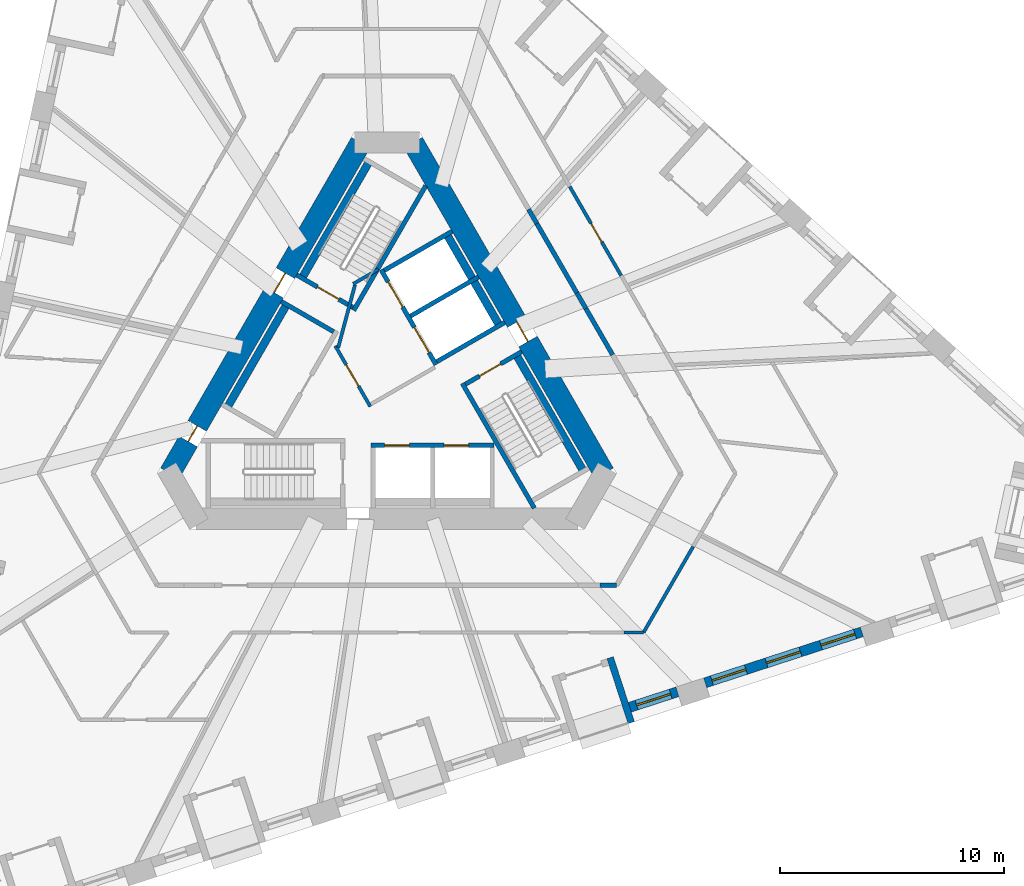
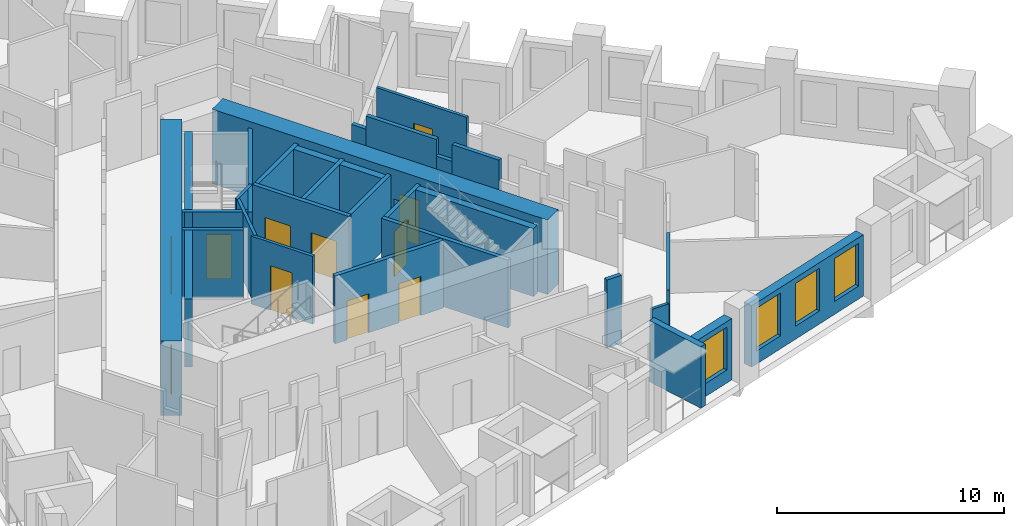
# One storey, part 5 of 12: 30 walls, 11 doors, 4 windows, 15 openings.
"""IFC4 building model written with IfcOpenShell, lengths in metres."""

from ifc_helpers import new_model, si_unit, direction, frame, frame_2d, origin, place, context, subcontext, project, spatial, rectangle, extrude, material, layer, layer_set, type_object, element, fill, save


model = new_model("IFC4")

# Units and contexts
model_context = context("Model", 3, precision=1e-05, world=origin(), true_north=direction((0.0, 1.0)))
body_context = subcontext(model_context, "Body", "Model", "MODEL_VIEW")
ifc_project = project(units=[si_unit("LENGTHUNIT", "METRE"), si_unit("AREAUNIT", "SQUARE_METRE"), si_unit("VOLUMEUNIT", "CUBIC_METRE"), si_unit("PLANEANGLEUNIT", "RADIAN"), si_unit("MASSUNIT", "GRAM", prefix="KILO")], contexts=[model_context])

# Site, building, storey
site_placement = place(None, origin())
site = spatial("IfcSite", under=ifc_project, at=site_placement, CompositionType="ELEMENT")
building_placement = place(site_placement, origin())
building = spatial("IfcBuilding", under=site, at=building_placement, Name="Tramontana Tower", CompositionType="ELEMENT")
storey_placement = place(building_placement, frame((0.0, 0.0, 88.39990234375)))
storey = spatial("IfcBuildingStorey", under=building, at=storey_placement, Name="L19", CompositionType="ELEMENT", Elevation=88.39990234375)

# Wall, openings, doors
ifc_material_1 = material(Name="Concrete 70 MPa", Category="concrete")
ifc_layer_1 = layer(ifc_material_1, 0.949951171875)
ifc_layer_set_1 = layer_set([ifc_layer_1], Name="Core wall 950 70 MPa")
wall_type_1 = type_object("IfcWallType", Name="Core wall 950 70 MPa", PredefinedType="SHEAR", material=ifc_layer_set_1)
wall_1_placement = place(storey_placement, frame((-1.169189453125, 10.52490234375, 0.0), z_axis=(0.0, 0.0, 1.0), x_axis=(-0.499999102847, -0.866025921755, 0.0)))
wall_1 = element("IfcWall", 1, at=wall_1_placement, inside=storey, type_object=wall_type_1, Name="Core wall C1 L19", PredefinedType="SHEAR", context=body_context, shape_type="SweptSolid", body=[
    extrude(rectangle(XDim=17.060546875, YDim=0.949951171875, at=frame_2d((8.5302734375, 0.0))), origin(), (0.0, 0.0, 1.0), 4.0),
])
opening_1_placement = place(wall_1_placement, frame((6.7353515625, 0.0, 0.0)))
opening_1 = element("IfcOpeningElement", 2, at=opening_1_placement, cuts=wall_1, Name="Opening RG1", PredefinedType="OPENING", context=body_context, shape_type="SweptSolid", body=[
    extrude(rectangle(XDim=1.0, YDim=2.39990234375, at=frame_2d((0.5, 1.199951171875))), frame((0.0, 0.48486328125, 0.0), z_axis=(0.0, -1.0, 0.0), x_axis=(1.0, 0.0, 0.0)), (0.0, 0.0, 1.0), 0.969970703125),
])
opening_2_placement = place(wall_1_placement, frame((14.612548828125, 0.0, 0.0)))
opening_2 = element("IfcOpeningElement", 3, at=opening_2_placement, cuts=wall_1, Name="Opening PD1", PredefinedType="OPENING", context=body_context, shape_type="SweptSolid", body=[
    extrude(rectangle(XDim=0.800048828125, YDim=2.10009765625, at=frame_2d((0.39990234375, 1.050048828125))), frame((0.0, 0.48486328125, 0.0), z_axis=(0.0, -1.0, 0.0), x_axis=(1.0, 0.0, 0.0)), (0.0, 0.0, 1.0), 0.969970703125),
])
ifc_material_2 = material(Name="Painted steel", Category="steel")
door_type_1 = type_object("IfcDoorType", Name="CUPBOARD DOOR 800", OperationType="SINGLE_SWING_LEFT", PredefinedType="DOOR", material=ifc_material_2)
door_1_placement = place(opening_2_placement, origin())
door_1 = element("IfcDoor", 4, at=door_1_placement, inside=storey, type_object=door_type_1, Name="Door PD1", OperationType="SINGLE_SWING_RIGHT", OverallHeight=2.10009765625, OverallWidth=0.800048828125, PredefinedType="DOOR", context=body_context, shape_type="SweptSolid", body=[
    extrude(rectangle(XDim=0.800048828125, YDim=2.10009765625, at=frame_2d((0.39990234375, 1.050048828125))), frame((0.0, 0.02490234375, 0.0), z_axis=(0.0, -1.0, 0.0), x_axis=(1.0, 0.0, 0.0)), (0.0, 0.0, 1.0), 0.050048828125),
])
fill(opening_2, door_1)
ifc_material_3 = material(Name="Painted steel", Category="steel")
door_type_2 = type_object("IfcDoorType", Name="RING DOOR 1000", OperationType="SINGLE_SWING_LEFT", PredefinedType="DOOR", material=ifc_material_3)
door_2_placement = place(opening_1_placement, origin())
door_2 = element("IfcDoor", 5, at=door_2_placement, inside=storey, type_object=door_type_2, Name="Door RG1", OperationType="SINGLE_SWING_LEFT", OverallHeight=2.39990234375, OverallWidth=1.0, PredefinedType="DOOR", context=body_context, shape_type="SweptSolid", body=[
    extrude(rectangle(XDim=1.0, YDim=2.39990234375, at=frame_2d((0.5, 1.199951171875))), frame((0.0, 0.02490234375, 0.0), z_axis=(0.0, -1.0, 0.0), x_axis=(1.0, 0.0, 0.0)), (0.0, 0.0, 1.0), 0.050048828125),
])
fill(opening_1, door_2)

# Wall, opening, door
wall_2_placement = place(storey_placement, frame((9.699462890625, -4.25, 0.0), z_axis=(0.0, 0.0, 1.0), x_axis=(-0.499999102847, 0.866025921755, 0.0)))
wall_2 = element("IfcWall", 6, at=wall_2_placement, inside=storey, type_object=wall_type_1, Name="Core wall C5 L19", PredefinedType="SHEAR", context=body_context, shape_type="SweptSolid", body=[
    extrude(rectangle(XDim=17.060546875, YDim=0.949951171875, at=frame_2d((8.5302734375, 0.0))), origin(), (0.0, 0.0, 1.0), 4.0),
])
opening_3_placement = place(wall_2_placement, frame((6.805419921875, 0.0, 0.0)))
opening_3 = element("IfcOpeningElement", 7, at=opening_3_placement, cuts=wall_2, Name="Opening RG3", PredefinedType="OPENING", context=body_context, shape_type="SweptSolid", body=[
    extrude(rectangle(XDim=1.0, YDim=2.39990234375, at=frame_2d((0.5, 1.199951171875))), frame((0.0, 0.48486328125, 0.0), z_axis=(0.0, -1.0, 0.0), x_axis=(1.0, 0.0, 0.0)), (0.0, 0.0, 1.0), 0.969970703125),
])
door_3_placement = place(opening_3_placement, origin())
door_3 = element("IfcDoor", 8, at=door_3_placement, inside=storey, type_object=door_type_2, Name="Door RG3", OperationType="SINGLE_SWING_LEFT", OverallHeight=2.39990234375, OverallWidth=1.0, PredefinedType="DOOR", context=body_context, shape_type="SweptSolid", body=[
    extrude(rectangle(XDim=1.0, YDim=2.39990234375, at=frame_2d((0.5, 1.199951171875))), frame((0.0, 0.02490234375, 0.0), z_axis=(0.0, -1.0, 0.0), x_axis=(1.0, 0.0, 0.0)), (0.0, 0.0, 1.0), 0.050048828125),
])
fill(opening_3, door_3)

# Walls
ifc_material_4 = material(Name="Blockwork", Category="masonry")
ifc_layer_2 = layer(ifc_material_4, 0.199951171875)
ifc_layer_set_2 = layer_set([ifc_layer_2], Name="ENTRY WALL 200")
wall_type_2 = type_object("IfcWallType", Name="ENTRY WALL 200", PredefinedType="SOLIDWALL", material=ifc_layer_set_2)
wall_3_placement = place(storey_placement, frame((6.323974609375, 7.546630859375, 0.0), z_axis=(0.0, 0.0, 1.0), x_axis=(0.499885169746, -0.866091690913, 0.0)))
element("IfcWall", 9, at=wall_3_placement, inside=storey, type_object=wall_type_2, Name="Wall v20-ew0-3", PredefinedType="SOLIDWALL", context=body_context, shape_type="SweptSolid", body=[
    extrude(rectangle(XDim=0.736083984375, YDim=0.199951171875, at=frame_2d((0.3681640625, 0.0))), origin(), (0.0, 0.0, 1.0), 2.9501953125),
])
wall_4_placement = place(storey_placement, frame((6.69189453125, 6.9091796875, 0.0), z_axis=(0.0, 0.0, 1.0), x_axis=(0.500029679218, -0.866008267802, 0.0)))
element("IfcWall", 10, at=wall_4_placement, inside=storey, type_object=wall_type_2, Name="Wall v20-ew0-4", PredefinedType="SOLIDWALL", context=body_context, shape_type="SweptSolid", body=[
    extrude(rectangle(XDim=3.576904296875, YDim=0.199951171875, at=frame_2d((1.78857421875, 0.0))), origin(), (0.0, 0.0, 1.0), 3.650146484375),
])
wall_5_placement = place(storey_placement, frame((8.48046875, 3.8115234375, 0.0), z_axis=(0.0, 0.0, 1.0), x_axis=(0.499809598504, -0.866135304236, 0.0)))
element("IfcWall", 11, at=wall_5_placement, inside=storey, type_object=wall_type_2, Name="Wall v20-ew0-5", PredefinedType="SOLIDWALL", context=body_context, shape_type="SweptSolid", body=[
    extrude(rectangle(XDim=0.808349609375, YDim=0.199951171875, at=frame_2d((0.404296875, 0.0))), origin(), (0.0, 0.0, 1.0), 2.75),
])
wall_6_placement = place(storey_placement, frame((8.884521484375, 3.111328125, 0.0), z_axis=(0.0, 0.0, 1.0), x_axis=(0.500035462246, -0.866004928679, 0.0)))
element("IfcWall", 12, at=wall_6_placement, inside=storey, type_object=wall_type_2, Name="Wall v20-ew0-6", PredefinedType="SOLIDWALL", context=body_context, shape_type="SweptSolid", body=[
    extrude(rectangle(XDim=2.385498046875, YDim=0.199951171875, at=frame_2d((1.19287109375, 0.0))), origin(), (0.0, 0.0, 1.0), 3.650146484375),
])
wall_7_placement = place(storey_placement, frame((10.248046875, -9.25, 0.0), z_axis=(0.0, 0.0, 1.0), x_axis=(-1.0, 0.0, 0.0)))
element("IfcWall", 13, at=wall_7_placement, inside=storey, type_object=wall_type_2, Name="Wall v20-ew2-0", PredefinedType="SOLIDWALL", context=body_context, shape_type="SweptSolid", body=[
    extrude(rectangle(XDim=0.74365234375, YDim=0.199951171875, at=frame_2d((0.371826171875, 0.0))), origin(), (0.0, 0.0, 1.0), 3.650146484375),
])

# Wall, opening, window
ifc_material_5 = material(Name="Precast concrete 60 MPa", Category="concrete")
ifc_layer_3 = layer(ifc_material_5, 0.449951171875)
ifc_layer_set_3 = layer_set([ifc_layer_3], Name="Precast concrete 60 MPa, 450 mm")
wall_type_3 = type_object("IfcWallType", Name="EW1 Stone-faced precast wall 450", PredefinedType="SOLIDWALL", material=ifc_layer_set_3)
wall_8_placement = place(storey_placement, frame((10.8447265625, -14.69287109375, 0.0), z_axis=(0.0, 0.0, 1.0), x_axis=(0.951057328329, 0.30901449518, 0.0)))
wall_8 = element("IfcWall", 14, at=wall_8_placement, inside=storey, type_object=wall_type_3, Name="External wall L19 face 1 bay 4", PredefinedType="SOLIDWALL", context=body_context, shape_type="SweptSolid", body=[
    extrude(rectangle(XDim=2.236572265625, YDim=0.449951171875, at=frame_2d((1.1181640625, 0.0))), origin(), (0.0, 0.0, 1.0), 3.300048828125),
])
opening_4_placement = place(wall_8_placement, frame((0.318359375, 0.0, 0.699951171875)))
opening_4 = element("IfcOpeningElement", 15, at=opening_4_placement, cuts=wall_8, Name="Opening M1", PredefinedType="OPENING", context=body_context, shape_type="SweptSolid", body=[
    extrude(rectangle(XDim=1.60009765625, YDim=2.300048828125, at=frame_2d((0.800048828125, 1.14990234375))), frame((0.0, 0.23486328125, 0.0), z_axis=(0.0, -1.0, 0.0), x_axis=(1.0, 0.0, 0.0)), (0.0, 0.0, 1.0), 0.469970703125),
])
ifc_material_6 = material(Name="Aluminum frame, double glazing unit", Category="aluminium")
window_type = type_object("IfcWindowType", Name="M1 Window 1.6 x 2.3", PartitioningType="SINGLE_PANEL", PredefinedType="WINDOW", material=ifc_material_6)
window_1_placement = place(opening_4_placement, origin())
window_1 = element("IfcWindow", 16, at=window_1_placement, inside=storey, type_object=window_type, Name="Window M1 L19 face 1 module 12", OverallHeight=2.300048828125, OverallWidth=1.60009765625, PartitioningType="SINGLE_PANEL", PredefinedType="WINDOW", context=body_context, shape_type="SweptSolid", body=[
    extrude(rectangle(XDim=1.60009765625, YDim=2.300048828125, at=frame_2d((0.800048828125, 1.14990234375))), frame((0.0, 0.030029296875, 0.0), z_axis=(0.0, -1.0, 0.0), x_axis=(1.0, 0.0, 0.0)), (0.0, 0.0, 1.0), 0.06005859375),
])
fill(opening_4, window_1)

# Wall, openings, windows
wall_9_placement = place(storey_placement, frame((14.208251953125, -13.60009765625, 0.0), z_axis=(0.0, 0.0, 1.0), x_axis=(0.951057467065, 0.309014068191, 0.0)))
wall_9 = element("IfcWall", 17, at=wall_9_placement, inside=storey, type_object=wall_type_3, Name="External wall L19 face 1 bay 5", PredefinedType="SOLIDWALL", context=body_context, shape_type="SweptSolid", body=[
    extrude(rectangle(XDim=7.360107421875, YDim=0.449951171875, at=frame_2d((3.68017578125, 0.0))), origin(), (0.0, 0.0, 1.0), 3.300048828125),
])
opening_5_placement = place(wall_9_placement, frame((0.318359375, 0.0, 0.699951171875)))
opening_5 = element("IfcOpeningElement", 18, at=opening_5_placement, cuts=wall_9, Name="Opening M1", PredefinedType="OPENING", context=body_context, shape_type="SweptSolid", body=[
    extrude(rectangle(XDim=1.60009765625, YDim=2.300048828125, at=frame_2d((0.800048828125, 1.14990234375))), frame((0.0, 0.23486328125, 0.0), z_axis=(0.0, -1.0, 0.0), x_axis=(1.0, 0.0, 0.0)), (0.0, 0.0, 1.0), 0.469970703125),
])
opening_6_placement = place(wall_9_placement, frame((2.880126953125, 0.0, 0.699951171875)))
opening_6 = element("IfcOpeningElement", 19, at=opening_6_placement, cuts=wall_9, Name="Opening M1", PredefinedType="OPENING", context=body_context, shape_type="SweptSolid", body=[
    extrude(rectangle(XDim=1.60009765625, YDim=2.300048828125, at=frame_2d((0.800048828125, 1.14990234375))), frame((0.0, 0.23486328125, 0.0), z_axis=(0.0, -1.0, 0.0), x_axis=(1.0, 0.0, 0.0)), (0.0, 0.0, 1.0), 0.469970703125),
])
opening_7_placement = place(wall_9_placement, frame((5.44189453125, 0.0, 0.699951171875)))
opening_7 = element("IfcOpeningElement", 20, at=opening_7_placement, cuts=wall_9, Name="Opening M1", PredefinedType="OPENING", context=body_context, shape_type="SweptSolid", body=[
    extrude(rectangle(XDim=1.60009765625, YDim=2.300048828125, at=frame_2d((0.800048828125, 1.14990234375))), frame((0.0, 0.23486328125, 0.0), z_axis=(0.0, -1.0, 0.0), x_axis=(1.0, 0.0, 0.0)), (0.0, 0.0, 1.0), 0.469970703125),
])
window_2_placement = place(opening_5_placement, origin())
window_2 = element("IfcWindow", 21, at=window_2_placement, inside=storey, type_object=window_type, Name="Window M1 L19 face 1 module 13", OverallHeight=2.300048828125, OverallWidth=1.60009765625, PartitioningType="SINGLE_PANEL", PredefinedType="WINDOW", context=body_context, shape_type="SweptSolid", body=[
    extrude(rectangle(XDim=1.60009765625, YDim=2.300048828125, at=frame_2d((0.800048828125, 1.14990234375))), frame((0.0, 0.030029296875, 0.0), z_axis=(0.0, -1.0, 0.0), x_axis=(1.0, 0.0, 0.0)), (0.0, 0.0, 1.0), 0.06005859375),
])
fill(opening_5, window_2)
window_3_placement = place(opening_6_placement, origin())
window_3 = element("IfcWindow", 22, at=window_3_placement, inside=storey, type_object=window_type, Name="Window M1 L19 face 1 module 14", OverallHeight=2.300048828125, OverallWidth=1.60009765625, PartitioningType="SINGLE_PANEL", PredefinedType="WINDOW", context=body_context, shape_type="SweptSolid", body=[
    extrude(rectangle(XDim=1.60009765625, YDim=2.300048828125, at=frame_2d((0.800048828125, 1.14990234375))), frame((0.0, 0.030029296875, 0.0), z_axis=(0.0, -1.0, 0.0), x_axis=(1.0, 0.0, 0.0)), (0.0, 0.0, 1.0), 0.06005859375),
])
fill(opening_6, window_3)
window_4_placement = place(opening_7_placement, origin())
window_4 = element("IfcWindow", 23, at=window_4_placement, inside=storey, type_object=window_type, Name="Window M1 L19 face 1 module 15", OverallHeight=2.300048828125, OverallWidth=1.60009765625, PartitioningType="SINGLE_PANEL", PredefinedType="WINDOW", context=body_context, shape_type="SweptSolid", body=[
    extrude(rectangle(XDim=1.60009765625, YDim=2.300048828125, at=frame_2d((0.800048828125, 1.14990234375))), frame((0.0, 0.030029296875, 0.0), z_axis=(0.0, -1.0, 0.0), x_axis=(1.0, 0.0, 0.0)), (0.0, 0.0, 1.0), 0.06005859375),
])
fill(opening_7, window_4)

# Wall
ifc_material_7 = material(Name="Precast concrete 60 MPa", Category="concrete")
ifc_layer_4 = layer(ifc_material_7, 0.300048828125)
ifc_layer_set_4 = layer_set([ifc_layer_4], Name="LW1 Stone-faced loggia wall 300")
wall_type_4 = type_object("IfcWallType", Name="LW1 Stone-faced loggia wall 300", PredefinedType="SOLIDWALL", material=ifc_layer_set_4)
wall_10_placement = place(storey_placement, frame((10.91064453125, -15.38134765625, 0.0), z_axis=(0.0, 0.0, 1.0), x_axis=(-0.309039015525, 0.951049360908, 0.0)))
element("IfcWall", 24, at=wall_10_placement, inside=storey, type_object=wall_type_4, Name="Loggia return L19 G2S1.10b", PredefinedType="SOLIDWALL", context=body_context, shape_type="SweptSolid", body=[
    extrude(rectangle(XDim=3.05029296875, YDim=0.300048828125, at=frame_2d((1.525146484375, 0.0))), origin(), (0.0, 0.0, 1.0), 3.300048828125),
])

# Wall, opening, door
ifc_material_8 = material(Name="Gypsum board partition")
ifc_layer_5 = layer(ifc_material_8, 0.14990234375)
ifc_layer_set_5 = layer_set([ifc_layer_5], Name="PARTITION 150")
wall_type_5 = type_object("IfcWallType", Name="PARTITION 150", PredefinedType="PARTITIONING", material=ifc_layer_set_5)
wall_11_placement = place(storey_placement, frame((-0.744140625, -1.260986328125, 0.0), z_axis=(0.0, 0.0, 1.0), x_axis=(-0.500004234368, 0.866022959057, 0.0)))
wall_11 = element("IfcWall", 25, at=wall_11_placement, inside=storey, type_object=wall_type_5, Name="Wall ff-front", PredefinedType="PARTITIONING", context=body_context, shape_type="SweptSolid", body=[
    extrude(rectangle(XDim=3.125, YDim=0.14990234375, at=frame_2d((1.5625, 0.0))), origin(), (0.0, 0.0, 1.0), 3.650146484375),
])
opening_8_placement = place(wall_11_placement, frame((1.050048828125, 0.0, 0.0)))
opening_8 = element("IfcOpeningElement", 26, at=opening_8_placement, cuts=wall_11, Name="Opening FD1", PredefinedType="OPENING", context=body_context, shape_type="SweptSolid", body=[
    extrude(rectangle(XDim=1.10009765625, YDim=2.39990234375, at=frame_2d((0.550048828125, 1.199951171875))), frame((0.0, 0.0849609375, 0.0), z_axis=(0.0, -1.0, 0.0), x_axis=(1.0, 0.0, 0.0)), (0.0, 0.0, 1.0), 0.169921875),
])
ifc_material_9 = material(Name="Painted timber", Category="wood")
door_type_3 = type_object("IfcDoorType", Name="DOOR ENTRY 1100", OperationType="SINGLE_SWING_LEFT", PredefinedType="DOOR", material=ifc_material_9)
door_4_placement = place(opening_8_placement, origin())
door_4 = element("IfcDoor", 27, at=door_4_placement, inside=storey, type_object=door_type_3, Name="Door FD1", OperationType="SINGLE_SWING_RIGHT", OverallHeight=2.39990234375, OverallWidth=1.10009765625, PredefinedType="DOOR", context=body_context, shape_type="SweptSolid", body=[
    extrude(rectangle(XDim=1.10009765625, YDim=2.39990234375, at=frame_2d((0.550048828125, 1.199951171875))), frame((0.0, 0.02490234375, 0.0), z_axis=(0.0, -1.0, 0.0), x_axis=(1.0, 0.0, 0.0)), (0.0, 0.0, 1.0), 0.050048828125),
])
fill(opening_8, door_4)

# Walls
wall_12_placement = place(storey_placement, frame((-2.177978515625, 1.372314453125, 0.0), z_axis=(0.0, 0.0, 1.0), x_axis=(0.258808958833, 0.96592852884, 0.0)))
element("IfcWall", 28, at=wall_12_placement, inside=storey, type_object=wall_type_5, Name="Wall ff-diag", PredefinedType="PARTITIONING", context=body_context, shape_type="SweptSolid", body=[
    extrude(rectangle(XDim=2.902587890625, YDim=0.14990234375, at=frame_2d((1.451171875, 0.0))), origin(), (0.0, 0.0, 1.0), 3.650146484375),
])
wall_13_placement = place(storey_placement, frame((-1.509765625, 4.21484375, 0.0), z_axis=(0.0, 0.0, 1.0), x_axis=(0.866085525409, 0.49989585183, 0.0)))
element("IfcWall", 29, at=wall_13_placement, inside=storey, type_object=wall_type_5, Name="Wall ff-end1", PredefinedType="PARTITIONING", context=body_context, shape_type="SweptSolid", body=[
    extrude(rectangle(XDim=1.300048828125, YDim=0.14990234375, at=frame_2d((0.64990234375, 0.0))), origin(), (0.0, 0.0, 1.0), 3.650146484375),
])

# Wall, opening, door
wall_14_placement = place(storey_placement, frame((8.162841796875, 8.5615234375, 0.0), z_axis=(0.0, 0.0, 1.0), x_axis=(0.500023253097, -0.866011978186, 0.0)))
wall_14 = element("IfcWall", 30, at=wall_14_placement, inside=storey, type_object=wall_type_5, Name="Wall v20-pw23-3", PredefinedType="PARTITIONING", context=body_context, shape_type="SweptSolid", body=[
    extrude(rectangle(XDim=4.590087890625, YDim=0.14990234375, at=frame_2d((2.294921875, 0.0))), origin(), (0.0, 0.0, 1.0), 3.650146484375),
])
opening_9_placement = place(wall_14_placement, frame((1.900146484375, 0.0, 0.0)))
opening_9 = element("IfcOpeningElement", 31, at=opening_9_placement, cuts=wall_14, Name="Opening B2A-19", PredefinedType="OPENING", context=body_context, shape_type="SweptSolid", body=[
    extrude(rectangle(XDim=0.949951171875, YDim=2.39990234375, at=frame_2d((0.47509765625, 1.199951171875))), frame((0.0, 0.0849609375, 0.0), z_axis=(0.0, -1.0, 0.0), x_axis=(1.0, 0.0, 0.0)), (0.0, 0.0, 1.0), 0.169921875),
])
ifc_material_10 = material(Name="Painted timber", Category="wood")
door_type_4 = type_object("IfcDoorType", Name="DOOR ROOM 950", OperationType="SINGLE_SWING_LEFT", PredefinedType="DOOR", material=ifc_material_10)
door_5_placement = place(opening_9_placement, origin())
door_5 = element("IfcDoor", 32, at=door_5_placement, inside=storey, type_object=door_type_4, Name="Door B2A-19", OperationType="SINGLE_SWING_LEFT", OverallHeight=2.39990234375, OverallWidth=0.949951171875, PredefinedType="DOOR", context=body_context, shape_type="SweptSolid", body=[
    extrude(rectangle(XDim=0.949951171875, YDim=2.39990234375, at=frame_2d((0.47509765625, 1.199951171875))), frame((0.0, 0.02490234375, 0.0), z_axis=(0.0, -1.0, 0.0), x_axis=(1.0, 0.0, 0.0)), (0.0, 0.0, 1.0), 0.050048828125),
])
fill(opening_9, door_5)

# Walls
wall_15_placement = place(storey_placement, frame((11.46044921875, -11.35009765625, 0.0), z_axis=(0.0, 0.0, 1.0), x_axis=(-1.0, 0.0, 0.0)))
element("IfcWall", 33, at=wall_15_placement, inside=storey, type_object=wall_type_5, Name="Wall v20-pw32-0", PredefinedType="PARTITIONING", context=body_context, shape_type="SweptSolid", body=[
    extrude(rectangle(XDim=0.869384765625, YDim=0.14990234375, at=frame_2d((0.4345703125, 0.0))), origin(), (0.0, 0.0, 1.0), 2.9501953125),
])
wall_16_placement = place(storey_placement, frame((13.67333984375, -7.51708984375, 0.0), z_axis=(0.0, 0.0, 1.0), x_axis=(-0.500007369519, -0.866021148949, 0.0)))
element("IfcWall", 34, at=wall_16_placement, inside=storey, type_object=wall_type_5, Name="Wall v20-pw35-3", PredefinedType="PARTITIONING", context=body_context, shape_type="SweptSolid", body=[
    extrude(rectangle(XDim=4.42578125, YDim=0.14990234375, at=frame_2d((2.212890625, 0.0))), origin(), (0.0, 0.0, 1.0), 3.650146484375),
])
ifc_material_11 = material(Name="Concrete 70 MPa", Category="concrete")
ifc_layer_6 = layer(ifc_material_11, 0.35009765625)
ifc_layer_set_6 = layer_set([ifc_layer_6], Name="Concrete 70 MPa, 350 mm")
wall_type_6 = type_object("IfcWallType", Name="RC SHAFT BACK WALL 350", PredefinedType="SOLIDWALL", material=ifc_layer_set_6)
wall_17_placement = place(storey_placement, frame((-0.744873046875, 9.760009765625, 0.0), z_axis=(0.0, 0.0, 1.0), x_axis=(-0.49998037582, -0.866036733513, 0.0)))
element("IfcWall", 35, at=wall_17_placement, inside=storey, type_object=wall_type_6, Name="Wall st1-back", PredefinedType="SOLIDWALL", context=body_context, shape_type="SweptSolid", body=[
    extrude(rectangle(XDim=6.199951171875, YDim=0.35009765625, at=frame_2d((3.10009765625, 0.0))), origin(), (0.0, 0.0, 1.0), 3.650146484375),
])
wall_18_placement = place(storey_placement, frame((8.82470703125, -4.23486328125, 0.0), z_axis=(0.0, 0.0, 1.0), x_axis=(-0.499997426962, 0.866026889324, 0.0)))
element("IfcWall", 36, at=wall_18_placement, inside=storey, type_object=wall_type_6, Name="Wall st3-back", PredefinedType="SOLIDWALL", context=body_context, shape_type="SweptSolid", body=[
    extrude(rectangle(XDim=6.19970703125, YDim=0.35009765625, at=frame_2d((3.099853515625, 0.0))), origin(), (0.0, 0.0, 1.0), 3.650146484375),
])
wall_19_placement = place(storey_placement, frame((-4.4296875, 3.37744140625, 0.0), z_axis=(0.0, 0.0, 1.0), x_axis=(-0.499996545922, -0.866027397988, 0.0)))
element("IfcWall", 37, at=wall_19_placement, inside=storey, type_object=wall_type_6, Name="Wall row0-back", PredefinedType="SOLIDWALL", context=body_context, shape_type="SweptSolid", body=[
    extrude(rectangle(XDim=5.5, YDim=0.35009765625, at=frame_2d((2.75, 0.0))), origin(), (0.0, 0.0, 1.0), 3.650146484375),
])
wall_20_placement = place(storey_placement, frame((5.06982421875, 2.268798828125, 0.0), z_axis=(0.0, 0.0, 1.0), x_axis=(-0.49998122708, 0.866036242063, 0.0)))
element("IfcWall", 38, at=wall_20_placement, inside=storey, type_object=wall_type_6, Name="Wall row2-back", PredefinedType="SOLIDWALL", context=body_context, shape_type="SweptSolid", body=[
    extrude(rectangle(XDim=4.900146484375, YDim=0.35009765625, at=frame_2d((2.4501953125, 0.0))), origin(), (0.0, 0.0, 1.0), 3.650146484375),
])
ifc_material_12 = material(Name="Concrete 70 MPa", Category="concrete")
ifc_layer_7 = layer(ifc_material_12, 0.199951171875)
ifc_layer_set_7 = layer_set([ifc_layer_7], Name="Concrete 70 MPa, 200 mm")
wall_type_7 = type_object("IfcWallType", Name="RC STAIR AND SHAFT WALL 200", PredefinedType="SOLIDWALL", material=ifc_layer_set_7)
wall_21_placement = place(storey_placement, frame((1.73193359375, 8.60009765625, 0.0), z_axis=(0.0, 0.0, 1.0), x_axis=(-0.499975376872, -0.866039619487, 0.0)))
element("IfcWall", 39, at=wall_21_placement, inside=storey, type_object=wall_type_7, Name="Wall st1-front", PredefinedType="SOLIDWALL", context=body_context, shape_type="SweptSolid", body=[
    extrude(rectangle(XDim=6.433837890625, YDim=0.199951171875, at=frame_2d((3.216796875, 0.0))), origin(), (0.0, 0.0, 1.0), 3.650146484375),
])

# Wall, opening, door
wall_22_placement = place(storey_placement, frame((-1.521484375, 3.164794921875, 0.0), z_axis=(0.0, 0.0, 1.0), x_axis=(-0.866032775405, 0.499987231761, 0.0)))
wall_22 = element("IfcWall", 40, at=wall_22_placement, inside=storey, type_object=wall_type_7, Name="Wall st1-near", PredefinedType="SOLIDWALL", context=body_context, shape_type="SweptSolid", body=[
    extrude(rectangle(XDim=2.89990234375, YDim=0.199951171875, at=frame_2d((1.449951171875, 0.0))), origin(), (0.0, 0.0, 1.0), 3.650146484375),
])
opening_10_placement = place(wall_22_placement, frame((0.72509765625, 0.0, 0.0)))
opening_10 = element("IfcOpeningElement", 41, at=opening_10_placement, cuts=wall_22, Name="Opening SD1", PredefinedType="OPENING", context=body_context, shape_type="SweptSolid", body=[
    extrude(rectangle(XDim=1.10009765625, YDim=2.39990234375, at=frame_2d((0.550048828125, 1.199951171875))), frame((0.0, 0.10986328125, 0.0), z_axis=(0.0, -1.0, 0.0), x_axis=(1.0, 0.0, 0.0)), (0.0, 0.0, 1.0), 0.219970703125),
])
ifc_material_13 = material(Name="Painted steel", Category="steel")
door_type_5 = type_object("IfcDoorType", Name="STAIR DOOR 1100", OperationType="SINGLE_SWING_LEFT", PredefinedType="DOOR", material=ifc_material_13)
door_6_placement = place(opening_10_placement, origin())
door_6 = element("IfcDoor", 42, at=door_6_placement, inside=storey, type_object=door_type_5, Name="Door SD1", OperationType="SINGLE_SWING_RIGHT", OverallHeight=2.39990234375, OverallWidth=1.10009765625, PredefinedType="DOOR", context=body_context, shape_type="SweptSolid", body=[
    extrude(rectangle(XDim=1.10009765625, YDim=2.39990234375, at=frame_2d((0.550048828125, 1.199951171875))), frame((0.0, 0.02490234375, 0.0), z_axis=(0.0, -1.0, 0.0), x_axis=(1.0, 0.0, 0.0)), (0.0, 0.0, 1.0), 0.050048828125),
])
fill(opening_10, door_6)

# Wall
wall_23_placement = place(storey_placement, frame((6.581787109375, -5.800048828125, 0.0), z_axis=(0.0, 0.0, 1.0), x_axis=(-0.499975376872, 0.866039619487, 0.0)))
element("IfcWall", 43, at=wall_23_placement, inside=storey, type_object=wall_type_7, Name="Wall st3-front", PredefinedType="SOLIDWALL", context=body_context, shape_type="SweptSolid", body=[
    extrude(rectangle(XDim=6.433837890625, YDim=0.199951171875, at=frame_2d((3.216796875, 0.0))), origin(), (0.0, 0.0, 1.0), 3.650146484375),
])

# Wall, opening, door
wall_24_placement = place(storey_placement, frame((3.50146484375, -0.2646484375, 0.0), z_axis=(0.0, 0.0, 1.0), x_axis=(0.866032775405, 0.499987231761, 0.0)))
wall_24 = element("IfcWall", 44, at=wall_24_placement, inside=storey, type_object=wall_type_7, Name="Wall st3-near", PredefinedType="SOLIDWALL", context=body_context, shape_type="SweptSolid", body=[
    extrude(rectangle(XDim=2.89990234375, YDim=0.199951171875, at=frame_2d((1.449951171875, 0.0))), origin(), (0.0, 0.0, 1.0), 3.650146484375),
])
opening_11_placement = place(wall_24_placement, frame((0.72509765625, 0.0, 0.0)))
opening_11 = element("IfcOpeningElement", 45, at=opening_11_placement, cuts=wall_24, Name="Opening SD3", PredefinedType="OPENING", context=body_context, shape_type="SweptSolid", body=[
    extrude(rectangle(XDim=1.10009765625, YDim=2.39990234375, at=frame_2d((0.550048828125, 1.199951171875))), frame((0.0, 0.10986328125, 0.0), z_axis=(0.0, -1.0, 0.0), x_axis=(1.0, 0.0, 0.0)), (0.0, 0.0, 1.0), 0.219970703125),
])
door_7_placement = place(opening_11_placement, origin())
door_7 = element("IfcDoor", 46, at=door_7_placement, inside=storey, type_object=door_type_5, Name="Door SD3", OperationType="SINGLE_SWING_RIGHT", OverallHeight=2.39990234375, OverallWidth=1.10009765625, PredefinedType="DOOR", context=body_context, shape_type="SweptSolid", body=[
    extrude(rectangle(XDim=1.10009765625, YDim=2.39990234375, at=frame_2d((0.550048828125, 1.199951171875))), frame((0.0, 0.02490234375, 0.0), z_axis=(0.0, -1.0, 0.0), x_axis=(1.0, 0.0, 0.0)), (0.0, 0.0, 1.0), 0.050048828125),
])
fill(opening_11, door_7)

# Wall
wall_25_placement = place(storey_placement, frame((-2.379638671875, 2.078369140625, 0.0), z_axis=(0.0, 0.0, 1.0), x_axis=(-0.866059108428, 0.4999416173, 0.0)))
element("IfcWall", 47, at=wall_25_placement, inside=storey, type_object=wall_type_7, Name="Wall row0-side0", PredefinedType="SOLIDWALL", context=body_context, shape_type="SweptSolid", body=[
    extrude(rectangle(XDim=2.699951171875, YDim=0.199951171875, at=frame_2d((1.35009765625, 0.0))), origin(), (0.0, 0.0, 1.0), 3.650146484375),
])

# Wall, openings, doors
wall_26_placement = place(storey_placement, frame((-0.7099609375, -3.0, 0.0), z_axis=(0.0, 0.0, 1.0), x_axis=(1.0, 0.0, 0.0)))
wall_26 = element("IfcWall", 48, at=wall_26_placement, inside=storey, type_object=wall_type_7, Name="Wall row1-front", PredefinedType="SOLIDWALL", context=body_context, shape_type="SweptSolid", body=[
    extrude(rectangle(XDim=5.5, YDim=0.199951171875, at=frame_2d((2.75, 0.0))), origin(), (0.0, 0.0, 1.0), 3.650146484375),
])
opening_12_placement = place(wall_26_placement, frame((0.610107421875, 0.0, 0.0)))
opening_12 = element("IfcOpeningElement", 49, at=opening_12_placement, cuts=wall_26, Name="Opening LD-S1", PredefinedType="OPENING", context=body_context, shape_type="SweptSolid", body=[
    extrude(rectangle(XDim=1.10009765625, YDim=2.10009765625, at=frame_2d((0.550048828125, 1.050048828125))), frame((0.0, 0.10986328125, 0.0), z_axis=(0.0, -1.0, 0.0), x_axis=(1.0, 0.0, 0.0)), (0.0, 0.0, 1.0), 0.219970703125),
])
opening_13_placement = place(wall_26_placement, frame((3.260009765625, 0.0, 0.0)))
opening_13 = element("IfcOpeningElement", 50, at=opening_13_placement, cuts=wall_26, Name="Opening LD-S2", PredefinedType="OPENING", context=body_context, shape_type="SweptSolid", body=[
    extrude(rectangle(XDim=1.10009765625, YDim=2.10009765625, at=frame_2d((0.550048828125, 1.050048828125))), frame((0.0, 0.10986328125, 0.0), z_axis=(0.0, -1.0, 0.0), x_axis=(1.0, 0.0, 0.0)), (0.0, 0.0, 1.0), 0.219970703125),
])
ifc_material_14 = material(Name="Brushed steel", Category="steel")
door_type_6 = type_object("IfcDoorType", Name="LANDING DOOR 1100", OperationType="SINGLE_SWING_LEFT", PredefinedType="DOOR", material=ifc_material_14)
door_8_placement = place(opening_12_placement, origin())
door_8 = element("IfcDoor", 51, at=door_8_placement, inside=storey, type_object=door_type_6, Name="Door LD-S1", OperationType="SLIDING_TO_RIGHT", OverallHeight=2.10009765625, OverallWidth=1.10009765625, PredefinedType="DOOR", context=body_context, shape_type="SweptSolid", body=[
    extrude(rectangle(XDim=1.10009765625, YDim=2.10009765625, at=frame_2d((0.550048828125, 1.050048828125))), frame((0.0, 0.02490234375, 0.0), z_axis=(0.0, -1.0, 0.0), x_axis=(1.0, 0.0, 0.0)), (0.0, 0.0, 1.0), 0.050048828125),
])
fill(opening_12, door_8)
door_9_placement = place(opening_13_placement, origin())
door_9 = element("IfcDoor", 52, at=door_9_placement, inside=storey, type_object=door_type_6, Name="Door LD-S2", OperationType="SLIDING_TO_LEFT", OverallHeight=2.10009765625, OverallWidth=1.10009765625, PredefinedType="DOOR", context=body_context, shape_type="SweptSolid", body=[
    extrude(rectangle(XDim=1.10009765625, YDim=2.10009765625, at=frame_2d((0.550048828125, 1.050048828125))), frame((0.0, 0.02490234375, 0.0), z_axis=(0.0, -1.0, 0.0), x_axis=(1.0, 0.0, 0.0)), (0.0, 0.0, 1.0), 0.050048828125),
])
fill(opening_13, door_9)

wall_27_placement = place(storey_placement, frame((2.190185546875, 0.6064453125, 0.0), z_axis=(0.0, 0.0, 1.0), x_axis=(-0.500002801628, 0.866023786258, 0.0)))
wall_27 = element("IfcWall", 53, at=wall_27_placement, inside=storey, type_object=wall_type_7, Name="Wall row2-front", PredefinedType="SOLIDWALL", context=body_context, shape_type="SweptSolid", body=[
    extrude(rectangle(XDim=4.89990234375, YDim=0.199951171875, at=frame_2d((2.449951171875, 0.0))), origin(), (0.0, 0.0, 1.0), 3.650146484375),
])
opening_14_placement = place(wall_27_placement, frame((0.625, 0.0, 0.0)))
opening_14 = element("IfcOpeningElement", 54, at=opening_14_placement, cuts=wall_27, Name="Opening LD-F1", PredefinedType="OPENING", context=body_context, shape_type="SweptSolid", body=[
    extrude(rectangle(XDim=1.300048828125, YDim=2.10009765625, at=frame_2d((0.64990234375, 1.050048828125))), frame((0.0, 0.10986328125, 0.0), z_axis=(0.0, -1.0, 0.0), x_axis=(1.0, 0.0, 0.0)), (0.0, 0.0, 1.0), 0.219970703125),
])
opening_15_placement = place(wall_27_placement, frame((2.97509765625, 0.0, 0.0)))
opening_15 = element("IfcOpeningElement", 55, at=opening_15_placement, cuts=wall_27, Name="Opening LD-F2", PredefinedType="OPENING", context=body_context, shape_type="SweptSolid", body=[
    extrude(rectangle(XDim=1.300048828125, YDim=2.10009765625, at=frame_2d((0.64990234375, 1.050048828125))), frame((0.0, 0.10986328125, 0.0), z_axis=(0.0, -1.0, 0.0), x_axis=(1.0, 0.0, 0.0)), (0.0, 0.0, 1.0), 0.219970703125),
])
ifc_material_15 = material(Name="Brushed steel", Category="steel")
door_type_7 = type_object("IfcDoorType", Name="LANDING DOOR 1300", OperationType="SINGLE_SWING_LEFT", PredefinedType="DOOR", material=ifc_material_15)
door_10_placement = place(opening_14_placement, origin())
door_10 = element("IfcDoor", 56, at=door_10_placement, inside=storey, type_object=door_type_7, Name="Door LD-F1", OperationType="SLIDING_TO_RIGHT", OverallHeight=2.10009765625, OverallWidth=1.300048828125, PredefinedType="DOOR", context=body_context, shape_type="SweptSolid", body=[
    extrude(rectangle(XDim=1.300048828125, YDim=2.10009765625, at=frame_2d((0.64990234375, 1.050048828125))), frame((0.0, 0.02490234375, 0.0), z_axis=(0.0, -1.0, 0.0), x_axis=(1.0, 0.0, 0.0)), (0.0, 0.0, 1.0), 0.050048828125),
])
fill(opening_14, door_10)
door_11_placement = place(opening_15_placement, origin())
door_11 = element("IfcDoor", 57, at=door_11_placement, inside=storey, type_object=door_type_7, Name="Door LD-F2", OperationType="SLIDING_TO_LEFT", OverallHeight=2.10009765625, OverallWidth=1.300048828125, PredefinedType="DOOR", context=body_context, shape_type="SweptSolid", body=[
    extrude(rectangle(XDim=1.300048828125, YDim=2.10009765625, at=frame_2d((0.64990234375, 1.050048828125))), frame((0.0, 0.02490234375, 0.0), z_axis=(0.0, -1.0, 0.0), x_axis=(1.0, 0.0, 0.0)), (0.0, 0.0, 1.0), 0.050048828125),
])
fill(opening_15, door_11)

# Walls
for number, where, z_axis, x_axis, name in (
    (58, (2.226806640625, 0.742919921875, 0.0), (0.0, 0.0, 1.0), (0.866036909293, 0.499980071345, 0.0), "Wall row2-side0"),
    (59, (1.0517578125, 2.778076171875, 0.0), (0.0, 0.0, 1.0), (0.866036909293, 0.499980071345, 0.0), "Wall row2-side1"),
):
    element("IfcWall", number, at=place(storey_placement, frame(where, z_axis=z_axis, x_axis=x_axis)), inside=storey, type_object=wall_type_7, Name=name, PredefinedType="SOLIDWALL", context=body_context, shape_type="SweptSolid", body=[
        extrude(rectangle(XDim=3.500244140625, YDim=0.199951171875, at=frame_2d((1.75, 0.0))), origin(), (0.0, 0.0, 1.0), 3.650146484375),
    ])
wall_28_placement = place(storey_placement, frame((-0.123046875, 4.813232421875, 0.0), z_axis=(0.0, 0.0, 1.0), x_axis=(0.866019471182, 0.500010275428, 0.0)))
element("IfcWall", 60, at=wall_28_placement, inside=storey, type_object=wall_type_7, Name="Wall row2-side2", PredefinedType="SOLIDWALL", context=body_context, shape_type="SweptSolid", body=[
    extrude(rectangle(XDim=3.5, YDim=0.199951171875, at=frame_2d((1.75, 0.0))), origin(), (0.0, 0.0, 1.0), 3.650146484375),
])

save(model, "model.ifc")
